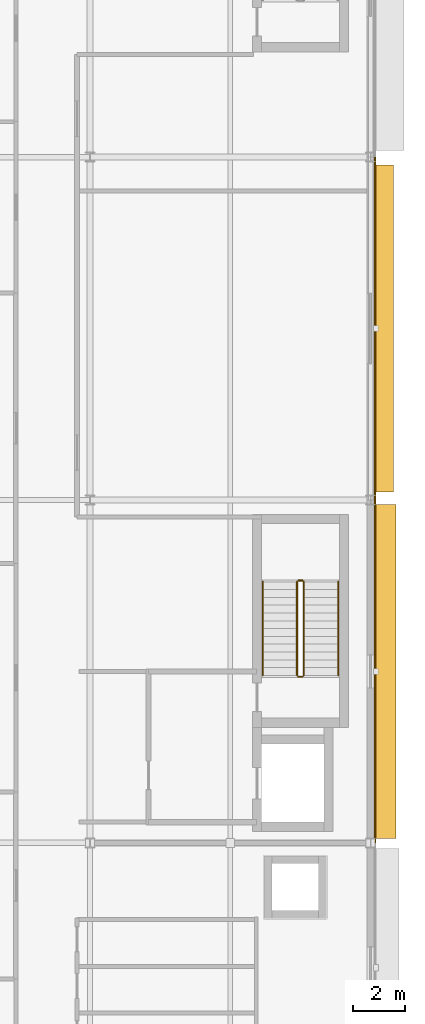
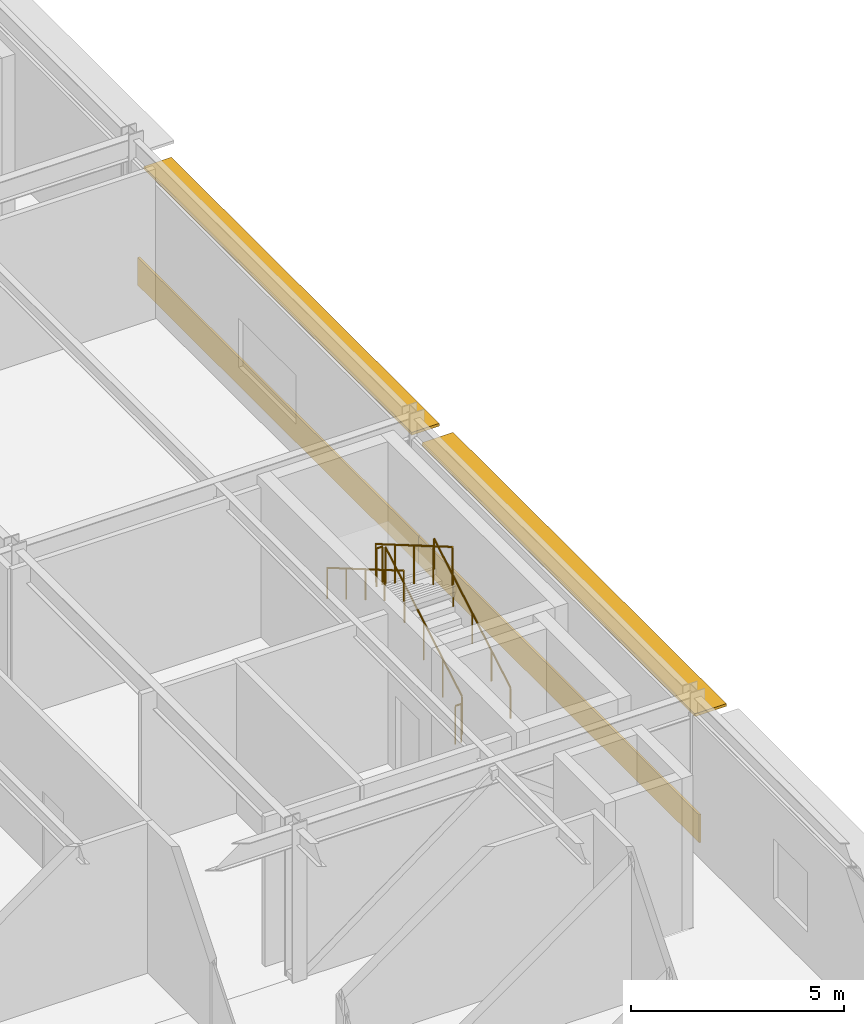
# One storey, part 115 of 116: 6 railings, 2 coverings, 2 shading devices.
"""IFC4 building model written with IfcOpenShell, lengths in metres."""

from ifc_helpers import new_model, si_unit, direction, frame, origin, origin_2d, place, context, subcontext, project, spatial, rectangle, circle, extrude, material, layer, layer_set, type_object, element, save


model = new_model("IFC4")

# Units and contexts
model_context = context("Model", 3, precision=1e-05, world=origin(), true_north=direction((0.0, 1.0)))
body_context = subcontext(model_context, "Body", "Model", "MODEL_VIEW")
ifc_project = project(units=[si_unit("LENGTHUNIT", "METRE"), si_unit("AREAUNIT", "SQUARE_METRE"), si_unit("VOLUMEUNIT", "CUBIC_METRE"), si_unit("PLANEANGLEUNIT", "RADIAN"), si_unit("MASSUNIT", "GRAM", prefix="KILO")], contexts=[model_context])

# Site, building, storey
site_placement = place(None, origin())
site = spatial("IfcSite", under=ifc_project, at=site_placement, CompositionType="ELEMENT")
building_placement = place(site_placement, origin())
building = spatial("IfcBuilding", under=site, at=building_placement, Name="Almandine Court Research Institute", CompositionType="ELEMENT")
storey_placement = place(building_placement, frame((0.0, 0.0, 14.35009765625)))
storey = spatial("IfcBuildingStorey", under=building, at=storey_placement, Name="L03", CompositionType="ELEMENT", Elevation=14.35009765625)

# Coverings
ifc_material_1 = material(Name="Extruded Cream-Ochre Seismic Terracotta Spandrel", Category="masonry")
ifc_layer_1 = layer(ifc_material_1, 0.054931640625)
ifc_layer_set_1 = layer_set([ifc_layer_1], Name="Extruded Cream-Ochre Seismic Terracotta Spandrel")
covering_type = type_object("IfcCoveringType", Name="Cov-CLAD-TERR", PredefinedType="CLADDING", material=ifc_layer_set_1)
for number, where, z_axis, x_axis, name in (
    (1, (174.1708984375, 64.199951171875, 0.02001953125), (0.0, 0.0, 1.0), (0.0, -1.0, 0.0), "L03 Facade Spandrel Cladding Band 162"),
    (2, (174.1708984375, 51.0, 0.02001953125), (0.0, 0.0, 1.0), (0.0, -1.0, 0.0), "L03 Facade Spandrel Cladding Band 163"),
):
    element("IfcCovering", number, at=place(storey_placement, frame(where, z_axis=z_axis, x_axis=x_axis)), inside=storey, type_object=covering_type, Name=name, PredefinedType="CLADDING", context=body_context, shape_type="SweptSolid", body=[
        extrude(rectangle(XDim=13.19189453125, YDim=0.054931640625, at=origin_2d()), origin(), (0.0, 0.0, 1.0), 0.800048828125),
    ])

# Railings
ifc_material_2 = material(Name="Powder-Coated Steel Stair and Atrium Balustrade", Category="steel")
railing_type_1 = type_object("IfcRailingType", Name="Rail-GUARD-INT", PredefinedType="BALUSTRADE", material=ifc_material_2)
railing_1_placement = place(storey_placement, frame((171.429931640625, 50.85009765625, 0.1748046875)))
element("IfcRailing", 3, at=railing_1_placement, inside=storey, type_object=railing_type_1, Name="L03 ST-08 stair guard 1", PredefinedType="BALUSTRADE", context=body_context, shape_type="SweptSolid", body=[
    extrude(circle(Radius=0.02392578125, at=origin_2d()), frame((0.0, 0.0, 1.09619140625), z_axis=(0.0, 0.863759778359, 0.503903805591), x_axis=(-1.0, 0.0, 0.0)), (0.0, 0.0, 1.0), 4.167724609375),
    extrude(circle(Radius=0.02099609375, at=origin_2d()), origin(), (0.0, 0.0, 1.0), 1.072021484375),
    extrude(circle(Radius=0.02099609375, at=origin_2d()), frame((0.0, 0.89990234375, 0.52490234375)), (0.0, 0.0, 1.0), 1.072021484375),
    extrude(circle(Radius=0.02099609375, at=origin_2d()), frame((0.0, 1.7998046875, 1.050048828125)), (0.0, 0.0, 1.0), 1.072021484375),
    extrude(circle(Radius=0.02099609375, at=origin_2d()), frame((0.0, 2.699951171875, 1.5751953125)), (0.0, 0.0, 1.0), 1.072021484375),
    extrude(circle(Radius=0.02099609375, at=origin_2d()), frame((0.0, 3.599853515625, 2.10009765625)), (0.0, 0.0, 1.0), 1.072021484375),
])
railing_2_placement = place(storey_placement, frame((171.3798828125, 54.5, 2.27490234375)))
element("IfcRailing", 4, at=railing_2_placement, inside=storey, type_object=railing_type_1, Name="L03 ST-08 stair guard 2", PredefinedType="BALUSTRADE", context=body_context, shape_type="SweptSolid", body=[
    extrude(circle(Radius=0.02392578125, at=origin_2d()), frame((0.0, 0.0, 1.09619140625), z_axis=(-1.0, 0.0, 0.0), x_axis=(0.0, -1.0, 0.0)), (0.0, 0.0, 1.0), 0.159912109375),
    extrude(circle(Radius=0.02099609375, at=origin_2d()), origin(), (0.0, 0.0, 1.0), 1.072021484375),
    extrude(circle(Radius=0.02099609375, at=origin_2d()), frame((-0.159912109375, 0.0, 0.0)), (0.0, 0.0, 1.0), 1.072021484375),
])
railing_3_placement = place(storey_placement, frame((171.169921875, 54.449951171875, 2.449951171875)))
element("IfcRailing", 5, at=railing_3_placement, inside=storey, type_object=railing_type_1, Name="L03 ST-08 stair guard 3", PredefinedType="BALUSTRADE", context=body_context, shape_type="SweptSolid", body=[
    extrude(circle(Radius=0.02392578125, at=origin_2d()), frame((0.0, 0.0, 1.09619140625), z_axis=(0.0, -0.86378527499, 0.503860098351), x_axis=(1.0, 0.0, 0.0)), (0.0, 0.0, 1.0), 4.16748046875),
    extrude(circle(Radius=0.02099609375, at=origin_2d()), origin(), (0.0, 0.0, 1.0), 1.072021484375),
    extrude(circle(Radius=0.02099609375, at=origin_2d()), frame((0.0, -0.89990234375, 0.52490234375)), (0.0, 0.0, 1.0), 1.072021484375),
    extrude(circle(Radius=0.02099609375, at=origin_2d()), frame((0.0, -1.7998046875, 1.0498046875)), (0.0, 0.0, 1.0), 1.072021484375),
    extrude(circle(Radius=0.02099609375, at=origin_2d()), frame((0.0, -2.699951171875, 1.574951171875)), (0.0, 0.0, 1.0), 1.072021484375),
    extrude(circle(Radius=0.02099609375, at=origin_2d()), frame((0.0, -3.599853515625, 2.099853515625)), (0.0, 0.0, 1.0), 1.072021484375),
])
railing_4_placement = place(storey_placement, frame((171.3798828125, 50.800048828125, 0.0)))
element("IfcRailing", 6, at=railing_4_placement, inside=storey, type_object=railing_type_1, Name="L03 ST-08 stair guard 4", PredefinedType="BALUSTRADE", context=body_context, shape_type="SweptSolid", body=[
    extrude(circle(Radius=0.02392578125, at=origin_2d()), frame((0.0, 0.0, 1.09619140625), z_axis=(-1.0, 0.0, 0.0), x_axis=(0.0, -1.0, 0.0)), (0.0, 0.0, 1.0), 0.159912109375),
    extrude(circle(Radius=0.02099609375, at=origin_2d()), origin(), (0.0, 0.0, 1.0), 1.072021484375),
    extrude(circle(Radius=0.02099609375, at=origin_2d()), frame((-0.159912109375, 0.0, 0.0)), (0.0, 0.0, 1.0), 1.072021484375),
])
ifc_material_3 = material(Name="Brushed Stainless Steel Wall Handrail", Category="steel")
railing_type_2 = type_object("IfcRailingType", Name="Rail-HAND-INT", PredefinedType="HANDRAIL", material=ifc_material_3)
railing_5_placement = place(storey_placement, frame((172.75, 50.85009765625, 0.1748046875)))
element("IfcRailing", 7, at=railing_5_placement, inside=storey, type_object=railing_type_2, Name="L03 ST-08 stair handrail 1", PredefinedType="HANDRAIL", context=body_context, shape_type="SweptSolid", body=[
    extrude(circle(Radius=0.02392578125, at=origin_2d()), frame((0.0, 0.0, 0.8759765625), z_axis=(0.0, 0.863759778359, 0.503903805591), x_axis=(-1.0, 0.0, 0.0)), (0.0, 0.0, 1.0), 4.167724609375),
    extrude(circle(Radius=0.02099609375, at=origin_2d()), origin(), (0.0, 0.0, 1.0), 0.851806640625),
    extrude(circle(Radius=0.02099609375, at=origin_2d()), frame((0.0, 0.89990234375, 0.52490234375)), (0.0, 0.0, 1.0), 0.851806640625),
    extrude(circle(Radius=0.02099609375, at=origin_2d()), frame((0.0, 1.7998046875, 1.050048828125)), (0.0, 0.0, 1.0), 0.851806640625),
    extrude(circle(Radius=0.02099609375, at=origin_2d()), frame((0.0, 2.699951171875, 1.5751953125)), (0.0, 0.0, 1.0), 0.851806640625),
    extrude(circle(Radius=0.02099609375, at=origin_2d()), frame((0.0, 3.599853515625, 2.10009765625)), (0.0, 0.0, 1.0), 0.851806640625),
])
railing_6_placement = place(storey_placement, frame((169.85009765625, 54.449951171875, 2.449951171875)))
element("IfcRailing", 8, at=railing_6_placement, inside=storey, type_object=railing_type_2, Name="L03 ST-08 stair handrail 2", PredefinedType="HANDRAIL", context=body_context, shape_type="SweptSolid", body=[
    extrude(circle(Radius=0.02392578125, at=origin_2d()), frame((0.0, 0.0, 0.8759765625), z_axis=(0.0, -0.86378527499, 0.503860098351), x_axis=(1.0, 0.0, 0.0)), (0.0, 0.0, 1.0), 4.16748046875),
    extrude(circle(Radius=0.02099609375, at=origin_2d()), origin(), (0.0, 0.0, 1.0), 0.851806640625),
    extrude(circle(Radius=0.02099609375, at=origin_2d()), frame((0.0, -0.89990234375, 0.52490234375)), (0.0, 0.0, 1.0), 0.851806640625),
    extrude(circle(Radius=0.02099609375, at=origin_2d()), frame((0.0, -1.7998046875, 1.0498046875)), (0.0, 0.0, 1.0), 0.851806640625),
    extrude(circle(Radius=0.02099609375, at=origin_2d()), frame((0.0, -2.699951171875, 1.574951171875)), (0.0, 0.0, 1.0), 0.851806640625),
    extrude(circle(Radius=0.02099609375, at=origin_2d()), frame((0.0, -3.599853515625, 2.099853515625)), (0.0, 0.0, 1.0), 0.851806640625),
])

# Shading devices
ifc_material_4 = material(Name="Precast GFRC Chhajja Sunshade and Acoustic Louvre", Category="concrete")
ifc_layer_2 = layer(ifc_material_4, 0.080078125)
ifc_layer_set_2 = layer_set([ifc_layer_2], Name="Precast GFRC Chhajja Sunshade and Acoustic Louvre")
shading_device_type_1 = type_object("IfcShadingDeviceType", Name="Shd-SD-37", PredefinedType="AWNING", material=ifc_layer_set_2)
shading_device_1_placement = place(storey_placement, frame((174.56005859375, 51.0, 3.535888671875), z_axis=(0.0, 0.0, 1.0), x_axis=(0.0, -1.0, 0.0)))
element("IfcShadingDevice", 9, at=shading_device_1_placement, inside=storey, type_object=shading_device_type_1, Name="L03 Projecting Chhajja Sunshade 112", PredefinedType="AWNING", context=body_context, shape_type="SweptSolid", body=[
    extrude(rectangle(XDim=12.842041015625, YDim=0.85009765625, at=origin_2d()), origin(), (0.0, 0.0, 1.0), 0.080078125),
])
ifc_layer_3 = layer(ifc_material_4, 0.080078125)
ifc_layer_set_3 = layer_set([ifc_layer_3], Name="Precast GFRC Chhajja Sunshade and Acoustic Louvre")
shading_device_type_2 = type_object("IfcShadingDeviceType", Name="Shd-SD-63", PredefinedType="AWNING", material=ifc_layer_set_3)
shading_device_2_placement = place(storey_placement, frame((174.510009765625, 64.199951171875, 3.535888671875), z_axis=(0.0, 0.0, 1.0), x_axis=(0.0, -1.0, 0.0)))
element("IfcShadingDevice", 10, at=shading_device_2_placement, inside=storey, type_object=shading_device_type_2, Name="L03 Projecting Chhajja Sunshade 111", PredefinedType="AWNING", context=body_context, shape_type="SweptSolid", body=[
    extrude(rectangle(XDim=12.60205078125, YDim=0.75, at=origin_2d()), origin(), (0.0, 0.0, 1.0), 0.080078125),
])

save(model, "model.ifc")
